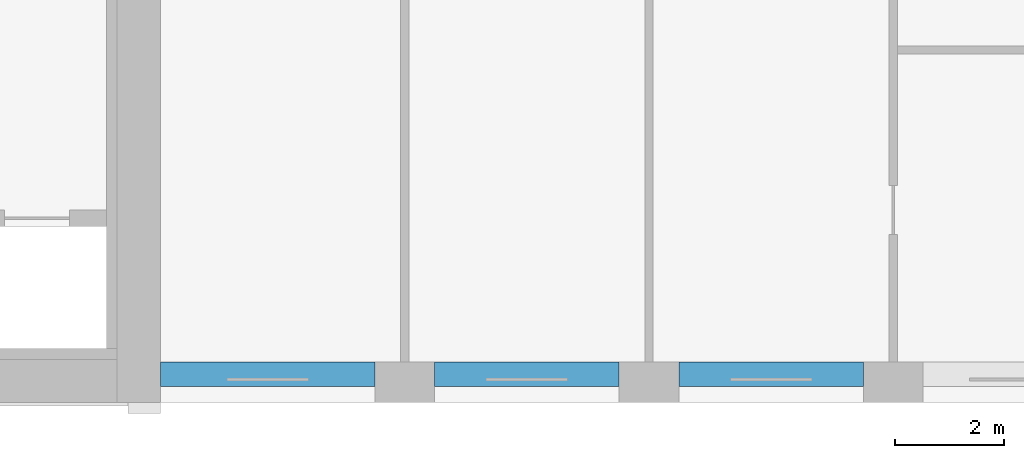
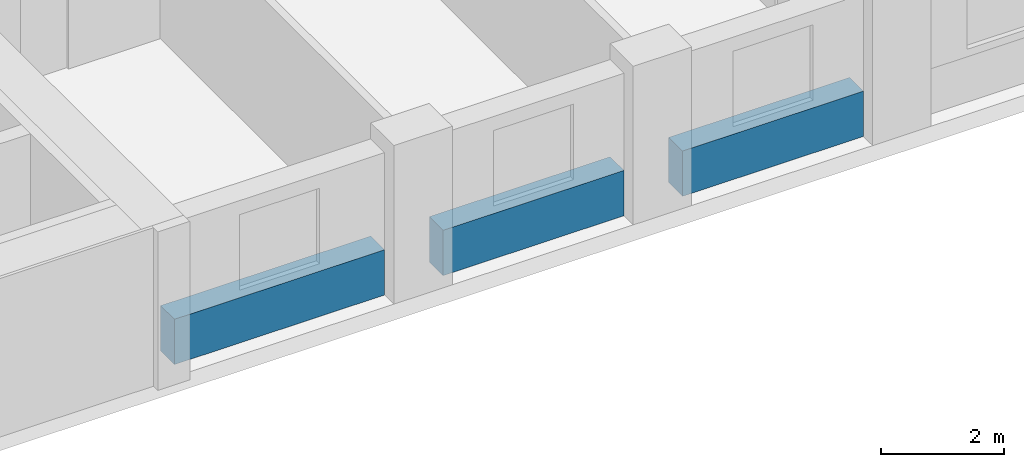
# One storey, part 3 of 17: 3 beams.
"""IFC4 building model written with IfcOpenShell, lengths in metres."""

from ifc_helpers import new_model, si_unit, direction, frame, origin, origin_2d, place, context, subcontext, project, spatial, rectangle, extrude, material, material_profile, profile_set, type_object, element, save


model = new_model("IFC4")

# Units and contexts
model_context = context("Model", 3, precision=1e-05, world=origin(), true_north=direction((0.0, 1.0)))
body_context = subcontext(model_context, "Body", "Model", "MODEL_VIEW")
ifc_project = project(units=[si_unit("LENGTHUNIT", "METRE"), si_unit("AREAUNIT", "SQUARE_METRE"), si_unit("VOLUMEUNIT", "CUBIC_METRE"), si_unit("PLANEANGLEUNIT", "RADIAN"), si_unit("MASSUNIT", "GRAM", prefix="KILO")], contexts=[model_context])

# Site, building, storey
site_placement = place(None, origin())
site = spatial("IfcSite", under=ifc_project, at=site_placement, CompositionType="ELEMENT")
building_placement = place(site_placement, origin())
building = spatial("IfcBuilding", under=site, at=building_placement, Name="Brigalow Station Residences", CompositionType="ELEMENT")
storey_placement = place(building_placement, frame((0.0, 0.0, 96.14990234375)))
storey = spatial("IfcBuildingStorey", under=building, at=storey_placement, Name="L27", CompositionType="ELEMENT", Elevation=96.14990234375)

# Beams
ifc_material = material(Name="Concrete C65", Category="concrete")
ifc_material_profile = material_profile(ifc_material, rectangle(XDim=0.449951171875, YDim=0.89990234375, at=origin_2d()), Name="RC450x900")
ifc_profile_set = profile_set([ifc_material_profile], Name="Concrete C65")
beam_type = type_object("IfcBeamType", Name="SPANDREL BEAM 450x900 C65", PredefinedType="SPANDREL", material=ifc_profile_set)
beam_placement = place(storey_placement, frame((54.0, 0.52490234375, 0.4501953125), z_axis=(1.0, 0.0, 0.0), x_axis=(0.0, 1.0, 0.0)))
element("IfcBeam", 1, at=beam_placement, inside=storey, type_object=beam_type, Name="L27/spandrel/W-L27-4", PredefinedType="SPANDREL", context=body_context, shape_type="SweptSolid", body=[
    extrude(rectangle(XDim=0.449951171875, YDim=0.89990234375, at=origin_2d()), origin(), (0.0, 0.0, 1.0), 3.949951171875),
])
for number, where, z_axis, x_axis, name in (
    (2, (59.050048828125, 0.52490234375, 0.4501953125), (1.0, 0.0, 0.0), (0.0, 1.0, 0.0), "L27/spandrel/W-L27-5"),
    (3, (63.550048828125, 0.52490234375, 0.4501953125), (1.0, 0.0, 0.0), (0.0, 1.0, 0.0), "L27/spandrel/W-L27-6"),
):
    element("IfcBeam", number, at=place(storey_placement, frame(where, z_axis=z_axis, x_axis=x_axis)), inside=storey, type_object=beam_type, Name=name, PredefinedType="SPANDREL", context=body_context, shape_type="SweptSolid", body=[
        extrude(rectangle(XDim=0.449951171875, YDim=0.89990234375, at=origin_2d()), origin(), (0.0, 0.0, 1.0), 3.39990234375),
    ])

save(model, "model.ifc")
